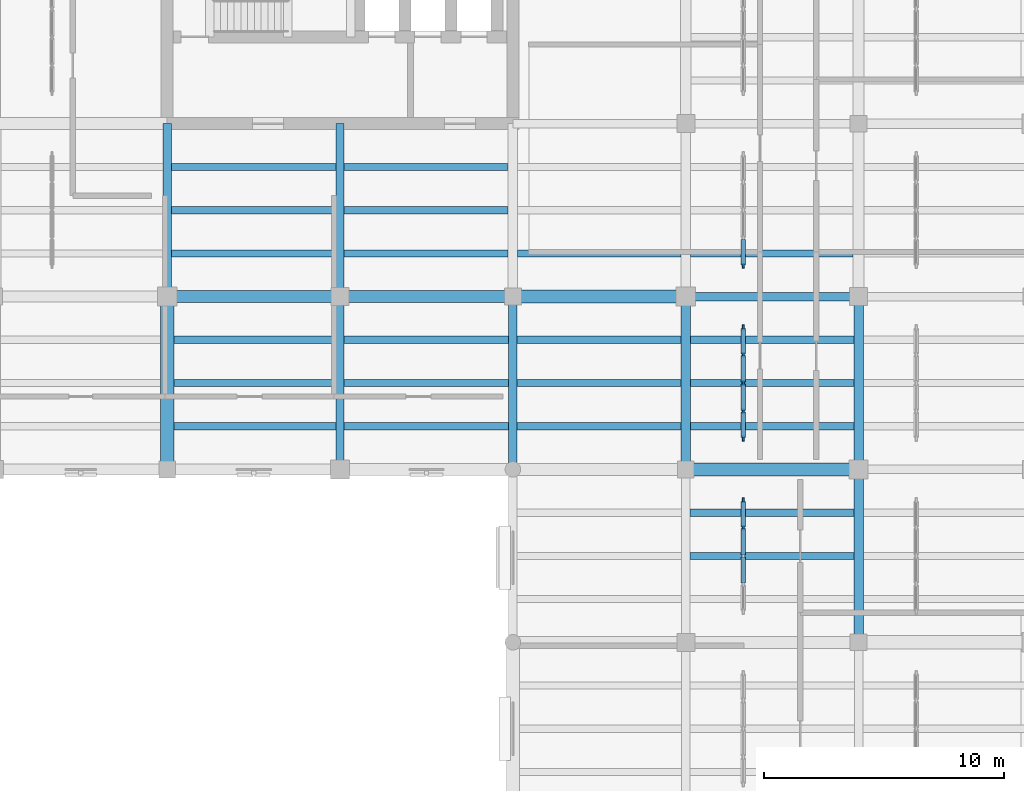
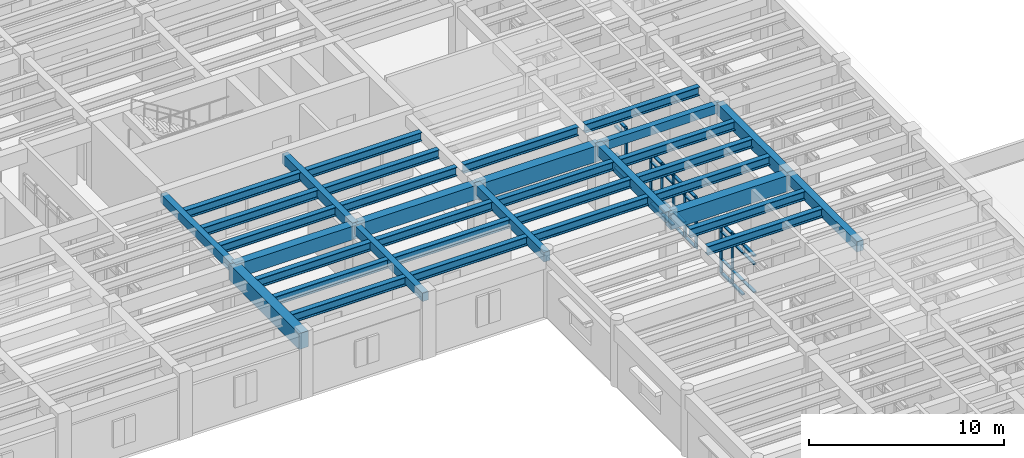
# One storey, part 29 of 76: 39 members, 35 beams, 3 elements without a shape of their own.
"""IFC4 building model written with IfcOpenShell, lengths in metres."""

from ifc_helpers import new_model, si_unit, direction, frame, origin, origin_2d, place, context, subcontext, project, spatial, rectangle, i_section, extrude, material, material_profile, profile_set, type_object, element, aggregate, save


model = new_model("IFC4")

# Units and contexts
model_context = context("Model", 3, precision=1e-05, world=origin(), true_north=direction((0.0, 1.0)))
body_context = subcontext(model_context, "Body", "Model", "MODEL_VIEW")
ifc_project = project(units=[si_unit("LENGTHUNIT", "METRE"), si_unit("AREAUNIT", "SQUARE_METRE"), si_unit("VOLUMEUNIT", "CUBIC_METRE"), si_unit("PLANEANGLEUNIT", "RADIAN"), si_unit("MASSUNIT", "GRAM", prefix="KILO")], contexts=[model_context])

# Site, building, storey
site_placement = place(None, origin())
site = spatial("IfcSite", under=ifc_project, at=site_placement, CompositionType="ELEMENT")
building_placement = place(site_placement, origin())
building = spatial("IfcBuilding", under=site, at=building_placement, Name="Mithqara Police Headquarters", CompositionType="ELEMENT")
storey_placement = place(building_placement, frame((0.0, 0.0, 5.39990234375)))
storey = spatial("IfcBuildingStorey", under=building, at=storey_placement, Name="L01", CompositionType="ELEMENT", Elevation=5.39990234375)

# Beams
ifc_material_1 = material(Name="Steel S355JR", Category="steel")
ifc_material_profile_1 = material_profile(ifc_material_1, i_section(OverallWidth=0.300048828125, OverallDepth=0.550048828125, WebThickness=0.014892578125, FlangeThickness=0.029052734375, FilletRadius=0.027099609375, at=origin_2d()), Name="HEB 550")
ifc_profile_set_1 = profile_set([ifc_material_profile_1], Name="Steel S355JR")
beam_type_1 = type_object("IfcBeamType", Name="BEAM HEB550", PredefinedType="BEAM", material=ifc_profile_set_1)
for number, where, z_axis, x_axis, name in (
    (1, (130.47509765625, 80.39990234375, 3.64501953125), (1.0, 0.0, 0.0), (0.0, 1.0, 0.0), "L01 Composite Steel Joist 19-20/M.1"),
    (2, (130.47509765625, 82.199951171875, 3.64501953125), (1.0, 0.0, 0.0), (0.0, 1.0, 0.0), "L01 Composite Steel Joist 19-20/M.2"),
    (3, (130.47509765625, 84.0, 3.64501953125), (1.0, 0.0, 0.0), (0.0, 1.0, 0.0), "L01 Composite Steel Joist 19-20/M.3"),
):
    element("IfcBeam", number, at=place(storey_placement, frame(where, z_axis=z_axis, x_axis=x_axis)), inside=storey, type_object=beam_type_1, Name=name, PredefinedType="BEAM", context=body_context, shape_type="SweptSolid", body=[
        extrude(i_section(OverallWidth=0.300048828125, OverallDepth=0.550048828125, WebThickness=0.014892578125, FlangeThickness=0.029052734375, FilletRadius=0.027099609375, at=origin_2d()), origin(), (0.0, 0.0, 1.0), 6.75),
    ])
for number, where, z_axis, x_axis, name in (
    (4, (130.375, 87.60009765625, 3.64501953125), (1.0, 0.0, 0.0), (0.0, 1.0, 0.0), "L01 Composite Steel Joist 19-20/N.1"),
    (5, (130.375, 89.39990234375, 3.64501953125), (1.0, 0.0, 0.0), (0.0, 1.0, 0.0), "L01 Composite Steel Joist 19-20/N.2"),
    (6, (130.375, 91.199951171875, 3.64501953125), (1.0, 0.0, 0.0), (0.0, 1.0, 0.0), "L01 Composite Steel Joist 19-20/N.3"),
    (7, (137.574951171875, 80.39990234375, 3.64501953125), (1.0, 0.0, 0.0), (0.0, 1.0, 0.0), "L01 Composite Steel Joist 20-21/M.1"),
    (8, (137.574951171875, 82.199951171875, 3.64501953125), (1.0, 0.0, 0.0), (0.0, 1.0, 0.0), "L01 Composite Steel Joist 20-21/M.2"),
    (9, (137.574951171875, 84.0, 3.64501953125), (1.0, 0.0, 0.0), (0.0, 1.0, 0.0), "L01 Composite Steel Joist 20-21/M.3"),
):
    element("IfcBeam", number, at=place(storey_placement, frame(where, z_axis=z_axis, x_axis=x_axis)), inside=storey, type_object=beam_type_1, Name=name, PredefinedType="BEAM", context=body_context, shape_type="SweptSolid", body=[
        extrude(i_section(OverallWidth=0.300048828125, OverallDepth=0.550048828125, WebThickness=0.014892578125, FlangeThickness=0.029052734375, FilletRadius=0.027099609375, at=origin_2d()), origin(), (0.0, 0.0, 1.0), 6.85009765625),
    ])
for number, where, z_axis, x_axis, name in (
    (10, (137.574951171875, 87.60009765625, 3.64501953125), (1.0, 0.0, 0.0), (0.0, 1.0, 0.0), "L01 Composite Steel Joist 20-21/N.1"),
    (11, (137.574951171875, 89.39990234375, 3.64501953125), (1.0, 0.0, 0.0), (0.0, 1.0, 0.0), "L01 Composite Steel Joist 20-21/N.2"),
    (12, (137.574951171875, 91.199951171875, 3.64501953125), (1.0, 0.0, 0.0), (0.0, 1.0, 0.0), "L01 Composite Steel Joist 20-21/N.3"),
):
    element("IfcBeam", number, at=place(storey_placement, frame(where, z_axis=z_axis, x_axis=x_axis)), inside=storey, type_object=beam_type_1, Name=name, PredefinedType="BEAM", context=body_context, shape_type="SweptSolid", body=[
        extrude(i_section(OverallWidth=0.300048828125, OverallDepth=0.550048828125, WebThickness=0.014892578125, FlangeThickness=0.029052734375, FilletRadius=0.027099609375, at=origin_2d()), origin(), (0.0, 0.0, 1.0), 6.824951171875),
    ])
for number, where, z_axis, x_axis, name in (
    (13, (144.77490234375, 80.39990234375, 3.64501953125), (1.0, 0.0, 0.0), (0.0, 1.0, 0.0), "L01 Composite Steel Joist 21-22/M.1"),
    (14, (144.77490234375, 82.199951171875, 3.64501953125), (1.0, 0.0, 0.0), (0.0, 1.0, 0.0), "L01 Composite Steel Joist 21-22/M.2"),
    (15, (144.77490234375, 84.0, 3.64501953125), (1.0, 0.0, 0.0), (0.0, 1.0, 0.0), "L01 Composite Steel Joist 21-22/M.3"),
):
    element("IfcBeam", number, at=place(storey_placement, frame(where, z_axis=z_axis, x_axis=x_axis)), inside=storey, type_object=beam_type_1, Name=name, PredefinedType="BEAM", context=body_context, shape_type="SweptSolid", body=[
        extrude(i_section(OverallWidth=0.300048828125, OverallDepth=0.550048828125, WebThickness=0.014892578125, FlangeThickness=0.029052734375, FilletRadius=0.027099609375, at=origin_2d()), origin(), (0.0, 0.0, 1.0), 6.8251953125),
    ])
beam_1_placement = place(storey_placement, frame((144.800048828125, 87.60009765625, 3.64501953125), z_axis=(1.0, 0.0, 0.0), x_axis=(0.0, 1.0, 0.0)))
element("IfcBeam", 16, at=beam_1_placement, inside=storey, type_object=beam_type_1, Name="L01 Composite Steel Joist 21-22/N.1", PredefinedType="BEAM", context=body_context, shape_type="SweptSolid", body=[
    extrude(i_section(OverallWidth=0.300048828125, OverallDepth=0.550048828125, WebThickness=0.014892578125, FlangeThickness=0.029052734375, FilletRadius=0.027099609375, at=origin_2d()), origin(), (0.0, 0.0, 1.0), 6.800048828125),
])
for number, where, z_axis, x_axis, name in (
    (17, (151.97509765625, 75.0, 3.64501953125), (1.0, 0.0, 0.0), (0.0, 1.0, 0.0), "L01 Composite Steel Joist 22-23/L.2"),
    (18, (151.97509765625, 76.800048828125, 3.64501953125), (1.0, 0.0, 0.0), (0.0, 1.0, 0.0), "L01 Composite Steel Joist 22-23/L.3"),
):
    element("IfcBeam", number, at=place(storey_placement, frame(where, z_axis=z_axis, x_axis=x_axis)), inside=storey, type_object=beam_type_1, Name=name, PredefinedType="BEAM", context=body_context, shape_type="SweptSolid", body=[
        extrude(i_section(OverallWidth=0.300048828125, OverallDepth=0.550048828125, WebThickness=0.014892578125, FlangeThickness=0.029052734375, FilletRadius=0.027099609375, at=origin_2d()), origin(), (0.0, 0.0, 1.0), 6.824951171875),
    ])
for number, where, z_axis, x_axis, name in (
    (19, (152.0, 80.39990234375, 3.64501953125), (1.0, 0.0, 0.0), (0.0, 1.0, 0.0), "L01 Composite Steel Joist 22-23/M.1"),
    (20, (152.0, 82.199951171875, 3.64501953125), (1.0, 0.0, 0.0), (0.0, 1.0, 0.0), "L01 Composite Steel Joist 22-23/M.2"),
    (21, (152.0, 84.0, 3.64501953125), (1.0, 0.0, 0.0), (0.0, 1.0, 0.0), "L01 Composite Steel Joist 22-23/M.3"),
):
    element("IfcBeam", number, at=place(storey_placement, frame(where, z_axis=z_axis, x_axis=x_axis)), inside=storey, type_object=beam_type_1, Name=name, PredefinedType="BEAM", context=body_context, shape_type="SweptSolid", body=[
        extrude(i_section(OverallWidth=0.300048828125, OverallDepth=0.550048828125, WebThickness=0.014892578125, FlangeThickness=0.029052734375, FilletRadius=0.027099609375, at=origin_2d()), origin(), (0.0, 0.0, 1.0), 6.800048828125),
    ])
beam_2_placement = place(storey_placement, frame((152.0, 87.60009765625, 3.64501953125), z_axis=(1.0, 0.0, 0.0), x_axis=(0.0, 1.0, 0.0)))
element("IfcBeam", 22, at=beam_2_placement, inside=storey, type_object=beam_type_1, Name="L01 Composite Steel Joist 22-23/N.1", PredefinedType="BEAM", context=body_context, shape_type="SweptSolid", body=[
    extrude(i_section(OverallWidth=0.300048828125, OverallDepth=0.550048828125, WebThickness=0.014892578125, FlangeThickness=0.029052734375, FilletRadius=0.027099609375, at=origin_2d()), origin(), (0.0, 0.0, 1.0), 6.77490234375),
])
ifc_material_2 = material(Name="Concrete C40/50", Category="concrete")
ifc_material_profile_2 = material_profile(ifc_material_2, rectangle(XDim=0.35009765625, YDim=0.550048828125, at=origin_2d()), Name="RC 350x550")
ifc_profile_set_2 = profile_set([ifc_material_profile_2], Name="Concrete C40/50")
beam_type_2 = type_object("IfcBeamType", Name="BEAM RC350X550", PredefinedType="BEAM", material=ifc_profile_set_2)
for number, where, z_axis, x_axis, name in (
    (23, (130.199951171875, 85.800048828125, 3.64501953125), (0.0, 1.0, 0.0), (-1.0, 0.0, 0.0), "L01 Girder 19/N-P"),
    (24, (137.39990234375, 78.60009765625, 3.64501953125), (0.0, 1.0, 0.0), (-1.0, 0.0, 0.0), "L01 Girder 20/M-N"),
    (25, (151.800048828125, 85.800048828125, 3.64501953125), (1.0, 0.0, 0.0), (0.0, 1.0, 0.0), "L01 Girder 22-23/N"),
):
    element("IfcBeam", number, at=place(storey_placement, frame(where, z_axis=z_axis, x_axis=x_axis)), inside=storey, type_object=beam_type_2, Name=name, PredefinedType="BEAM", context=body_context, shape_type="SweptSolid", body=[
        extrude(rectangle(XDim=0.35009765625, YDim=0.550048828125, at=origin_2d()), origin(), (0.0, 0.0, 1.0), 7.199951171875),
    ])
ifc_material_profile_3 = material_profile(ifc_material_2, rectangle(XDim=0.35009765625, YDim=0.60009765625, at=origin_2d()), Name="RC 350x600")
ifc_profile_set_3 = profile_set([ifc_material_profile_3], Name="Concrete C40/50")
beam_type_3 = type_object("IfcBeamType", Name="BEAM RC350X600", PredefinedType="BEAM", material=ifc_profile_set_3)
for number, where, z_axis, x_axis, name in (
    (26, (137.39990234375, 85.800048828125, 3.6201171875), (0.0, 1.0, 0.0), (-1.0, 0.0, 0.0), "L01 Girder 20/N-P"),
    (27, (144.60009765625, 78.60009765625, 3.6201171875), (0.0, 1.0, 0.0), (-1.0, 0.0, 0.0), "L01 Girder 21/M-N"),
):
    element("IfcBeam", number, at=place(storey_placement, frame(where, z_axis=z_axis, x_axis=x_axis)), inside=storey, type_object=beam_type_3, Name=name, PredefinedType="BEAM", context=body_context, shape_type="SweptSolid", body=[
        extrude(rectangle(XDim=0.35009765625, YDim=0.60009765625, at=origin_2d()), origin(), (0.0, 0.0, 1.0), 7.199951171875),
    ])
ifc_material_profile_4 = material_profile(ifc_material_2, rectangle(XDim=0.39990234375, YDim=0.64990234375, at=origin_2d()), Name="RC 400x650")
ifc_profile_set_4 = profile_set([ifc_material_profile_4], Name="Concrete C40/50")
beam_type_4 = type_object("IfcBeamType", Name="BEAM RC400X650", PredefinedType="BEAM", material=ifc_profile_set_4)
beam_3_placement = place(storey_placement, frame((151.800048828125, 78.60009765625, 3.59521484375), z_axis=(0.0, 1.0, 0.0), x_axis=(-1.0, 0.0, 0.0)))
element("IfcBeam", 28, at=beam_3_placement, inside=storey, type_object=beam_type_4, Name="L01 Girder 22/M-N", PredefinedType="BEAM", context=body_context, shape_type="SweptSolid", body=[
    extrude(rectangle(XDim=0.39990234375, YDim=0.64990234375, at=origin_2d()), origin(), (0.0, 0.0, 1.0), 7.199951171875),
])
beam_4_placement = place(storey_placement, frame((159.0, 71.39990234375, 3.59521484375), z_axis=(0.0, 1.0, 0.0), x_axis=(-1.0, 0.0, 0.0)))
element("IfcBeam", 29, at=beam_4_placement, inside=storey, type_object=beam_type_4, Name="L01 Girder 23/L-M", PredefinedType="BEAM", context=body_context, shape_type="SweptSolid", body=[
    extrude(rectangle(XDim=0.39990234375, YDim=0.64990234375, at=origin_2d()), origin(), (0.0, 0.0, 1.0), 7.2001953125),
])
ifc_material_profile_5 = material_profile(ifc_material_2, rectangle(XDim=0.39990234375, YDim=0.75, at=origin_2d()), Name="RC 400x750")
ifc_profile_set_5 = profile_set([ifc_material_profile_5], Name="Concrete C40/50")
beam_type_5 = type_object("IfcBeamType", Name="BEAM RC400X750", PredefinedType="BEAM", material=ifc_profile_set_5)
beam_5_placement = place(storey_placement, frame((159.0, 78.60009765625, 3.545166015625), z_axis=(0.0, 1.0, 0.0), x_axis=(-1.0, 0.0, 0.0)))
element("IfcBeam", 30, at=beam_5_placement, inside=storey, type_object=beam_type_5, Name="L01 Girder 23/M-N", PredefinedType="BEAM", context=body_context, shape_type="SweptSolid", body=[
    extrude(rectangle(XDim=0.39990234375, YDim=0.75, at=origin_2d()), origin(), (0.0, 0.0, 1.0), 7.199951171875),
])
ifc_material_profile_6 = material_profile(ifc_material_2, rectangle(XDim=0.5, YDim=0.85009765625, at=origin_2d()), Name="RC 500x850")
ifc_profile_set_6 = profile_set([ifc_material_profile_6], Name="Concrete C40/50")
beam_type_6 = type_object("IfcBeamType", Name="BEAM RC500X850", PredefinedType="BEAM", material=ifc_profile_set_6)
beam_6_placement = place(storey_placement, frame((130.199951171875, 85.800048828125, 3.4951171875), z_axis=(1.0, 0.0, 0.0), x_axis=(0.0, 1.0, 0.0)))
element("IfcBeam", 31, at=beam_6_placement, inside=storey, type_object=beam_type_6, Name="L01 Girder 19-20/N", PredefinedType="BEAM", context=body_context, shape_type="SweptSolid", body=[
    extrude(rectangle(XDim=0.5, YDim=0.85009765625, at=origin_2d()), origin(), (0.0, 0.0, 1.0), 7.199951171875),
])
ifc_material_3 = material(Name="Concrete C50/60", Category="concrete")
ifc_material_profile_7 = material_profile(ifc_material_3, rectangle(XDim=0.5, YDim=0.89990234375, at=origin_2d()), Name="RC 500x900")
ifc_profile_set_7 = profile_set([ifc_material_profile_7], Name="Concrete C50/60")
beam_type_7 = type_object("IfcBeamType", Name="BEAM RC500X900", PredefinedType="BEAM", material=ifc_profile_set_7)
beam_7_placement = place(storey_placement, frame((137.39990234375, 85.800048828125, 3.47021484375), z_axis=(1.0, 0.0, 0.0), x_axis=(0.0, 1.0, 0.0)))
element("IfcBeam", 32, at=beam_7_placement, inside=storey, type_object=beam_type_7, Name="L01 Girder 20-21/N", PredefinedType="BEAM", context=body_context, shape_type="SweptSolid", body=[
    extrude(rectangle(XDim=0.5, YDim=0.89990234375, at=origin_2d()), origin(), (0.0, 0.0, 1.0), 7.2001953125),
])
ifc_material_profile_8 = material_profile(ifc_material_3, rectangle(XDim=0.550048828125, YDim=1.0, at=origin_2d()), Name="RC 550x1000")
ifc_profile_set_8 = profile_set([ifc_material_profile_8], Name="Concrete C50/60")
beam_type_8 = type_object("IfcBeamType", Name="BEAM RC550X1000", PredefinedType="BEAM", material=ifc_profile_set_8)
for number, where, z_axis, x_axis, name in (
    (33, (130.199951171875, 78.60009765625, 3.420166015625), (0.0, 1.0, 0.0), (-1.0, 0.0, 0.0), "L01 Girder 19/M-N"),
    (34, (144.60009765625, 85.800048828125, 3.420166015625), (1.0, 0.0, 0.0), (0.0, 1.0, 0.0), "L01 Girder 21-22/N"),
    (35, (151.800048828125, 78.60009765625, 3.420166015625), (1.0, 0.0, 0.0), (0.0, 1.0, 0.0), "L01 Girder 22-23/M"),
):
    element("IfcBeam", number, at=place(storey_placement, frame(where, z_axis=z_axis, x_axis=x_axis)), inside=storey, type_object=beam_type_8, Name=name, PredefinedType="BEAM", context=body_context, shape_type="SweptSolid", body=[
        extrude(rectangle(XDim=0.550048828125, YDim=1.0, at=origin_2d()), origin(), (0.0, 0.0, 1.0), 7.199951171875),
    ])

# Curtain wall, members
ifc_material_4 = material(Name="Bronze anodised aluminium 6063-T6", Category="aluminium")
curtain_wall_type = type_object("IfcCurtainWallType", Name="CURTAIN WALL 4700X3200", PredefinedType="USERDEFINED", material=ifc_material_4)
curtain_wall_1_placement = place(storey_placement, origin())
curtain_wall_1 = element("IfcCurtainWall", 36, at=curtain_wall_1_placement, inside=storey, type_object=curtain_wall_type, Name="L01 Unitised Glazing CW-15 (CW-INT-L01-X21-Y10-0)", ObjectType="UNITISED GLAZING", PredefinedType="USERDEFINED")
ifc_material_profile_9 = material_profile(ifc_material_4, rectangle(XDim=0.074951171875, YDim=0.219970703125, at=origin_2d()), Name="CWM 75x220")
ifc_profile_set_9 = profile_set([ifc_material_profile_9], Name="Bronze anodised aluminium 6063-T6")
member_type_1 = type_object("IfcMemberType", Name="CWMULLION 75X220", PredefinedType="MULLION", material=ifc_profile_set_9)
member_1_placement = place(storey_placement, frame((154.199951171875, 76.175048828125, 0.0), z_axis=(0.0, 0.0, 1.0), x_axis=(-1.0, 0.0, 0.0)))
member_1 = element("IfcMember", 37, at=member_1_placement, type_object=member_type_1, Name="CW-15 mullion 4", PredefinedType="MULLION", context=body_context, shape_type="SweptSolid", body=[
    extrude(rectangle(XDim=0.074951171875, YDim=0.219970703125, at=origin_2d()), origin(), (0.0, 0.0, 1.0), 3.2001953125),
])
member_2_placement = place(storey_placement, frame((154.199951171875, 77.3125, 0.0), z_axis=(0.0, 0.0, 1.0), x_axis=(-1.0, 0.0, 0.0)))
member_2 = element("IfcMember", 38, at=member_2_placement, type_object=member_type_1, Name="CW-15 mullion 5", PredefinedType="MULLION", context=body_context, shape_type="SweptSolid", body=[
    extrude(rectangle(XDim=0.074951171875, YDim=0.219970703125, at=origin_2d()), origin(), (0.0, 0.0, 1.0), 3.2001953125),
])

curtain_wall_2_placement = place(storey_placement, origin())
curtain_wall_2 = element("IfcCurtainWall", 39, at=curtain_wall_2_placement, inside=storey, type_object=curtain_wall_type, Name="L01 Unitised Glazing CW-15 (CW-INT-L01-X21-Y11-0)", ObjectType="UNITISED GLAZING", PredefinedType="USERDEFINED")
member_3_placement = place(storey_placement, frame((154.199951171875, 79.887451171875, 0.0), z_axis=(0.0, 0.0, 1.0), x_axis=(-1.0, 0.0, 0.0)))
member_3 = element("IfcMember", 40, at=member_3_placement, type_object=member_type_1, Name="CW-15 mullion 1", PredefinedType="MULLION", context=body_context, shape_type="SweptSolid", body=[
    extrude(rectangle(XDim=0.074951171875, YDim=0.219970703125, at=origin_2d()), origin(), (0.0, 0.0, 1.0), 3.2001953125),
])
member_4_placement = place(storey_placement, frame((154.199951171875, 81.02490234375, 0.0), z_axis=(0.0, 0.0, 1.0), x_axis=(-1.0, 0.0, 0.0)))
member_4 = element("IfcMember", 41, at=member_4_placement, type_object=member_type_1, Name="CW-15 mullion 2", PredefinedType="MULLION", context=body_context, shape_type="SweptSolid", body=[
    extrude(rectangle(XDim=0.074951171875, YDim=0.219970703125, at=origin_2d()), origin(), (0.0, 0.0, 1.0), 3.2001953125),
])
member_5_placement = place(storey_placement, frame((154.199951171875, 82.199951171875, 0.0), z_axis=(0.0, 0.0, 1.0), x_axis=(-1.0, 0.0, 0.0)))
member_5 = element("IfcMember", 42, at=member_5_placement, type_object=member_type_1, Name="CW-15 mullion 3", PredefinedType="MULLION", context=body_context, shape_type="SweptSolid", body=[
    extrude(rectangle(XDim=0.074951171875, YDim=0.219970703125, at=origin_2d()), origin(), (0.0, 0.0, 1.0), 3.2001953125),
])
member_6_placement = place(storey_placement, frame((154.199951171875, 83.375, 0.0), z_axis=(0.0, 0.0, 1.0), x_axis=(-1.0, 0.0, 0.0)))
member_6 = element("IfcMember", 43, at=member_6_placement, type_object=member_type_1, Name="CW-15 mullion 4", PredefinedType="MULLION", context=body_context, shape_type="SweptSolid", body=[
    extrude(rectangle(XDim=0.074951171875, YDim=0.219970703125, at=origin_2d()), origin(), (0.0, 0.0, 1.0), 3.2001953125),
])
member_7_placement = place(storey_placement, frame((154.199951171875, 84.512451171875, 0.0), z_axis=(0.0, 0.0, 1.0), x_axis=(-1.0, 0.0, 0.0)))
member_7 = element("IfcMember", 44, at=member_7_placement, type_object=member_type_1, Name="CW-15 mullion 5", PredefinedType="MULLION", context=body_context, shape_type="SweptSolid", body=[
    extrude(rectangle(XDim=0.074951171875, YDim=0.219970703125, at=origin_2d()), origin(), (0.0, 0.0, 1.0), 3.2001953125),
])

# Curtain wall, member
curtain_wall_3_placement = place(storey_placement, origin())
curtain_wall_3 = element("IfcCurtainWall", 45, at=curtain_wall_3_placement, inside=storey, type_object=curtain_wall_type, Name="L01 Unitised Glazing CW-15 (CW-INT-L01-X21-Y12-0)", ObjectType="UNITISED GLAZING", PredefinedType="USERDEFINED")
member_8_placement = place(storey_placement, frame((154.199951171875, 87.08740234375, 0.0), z_axis=(0.0, 0.0, 1.0), x_axis=(-1.0, 0.0, 0.0)))
member_8 = element("IfcMember", 46, at=member_8_placement, type_object=member_type_1, Name="CW-15 mullion 1", PredefinedType="MULLION", context=body_context, shape_type="SweptSolid", body=[
    extrude(rectangle(XDim=0.074951171875, YDim=0.219970703125, at=origin_2d()), origin(), (0.0, 0.0, 1.0), 3.2001953125),
])

# Member
ifc_material_profile_10 = material_profile(ifc_material_4, rectangle(XDim=0.179931640625, YDim=0.074951171875, at=origin_2d()), Name="CWT 180x75")
ifc_profile_set_10 = profile_set([ifc_material_profile_10], Name="Bronze anodised aluminium 6063-T6")
member_type_2 = type_object("IfcMemberType", Name="CWTRANSOM 180X75", PredefinedType="USERDEFINED", material=ifc_profile_set_10)
member_9_placement = place(storey_placement, frame((154.199951171875, 73.862548828125, 0.900146484375), z_axis=(0.0, 1.0, 0.0), x_axis=(-1.0, 0.0, 0.0)))
member_9 = element("IfcMember", 47, at=member_9_placement, type_object=member_type_2, Name="CW-15 transom 2.2", ObjectType="TRANSOM", PredefinedType="USERDEFINED", context=body_context, shape_type="SweptSolid", body=[
    extrude(rectangle(XDim=0.179931640625, YDim=0.074951171875, at=origin_2d()), origin(), (0.0, 0.0, 1.0), 1.099853515625),
])

member_10_placement = place(storey_placement, frame((154.199951171875, 73.862548828125, 2.650146484375), z_axis=(0.0, 1.0, 0.0), x_axis=(-1.0, 0.0, 0.0)))
member_10 = element("IfcMember", 48, at=member_10_placement, type_object=member_type_2, Name="CW-15 transom 2.3", ObjectType="TRANSOM", PredefinedType="USERDEFINED", context=body_context, shape_type="SweptSolid", body=[
    extrude(rectangle(XDim=0.179931640625, YDim=0.074951171875, at=origin_2d()), origin(), (0.0, 0.0, 1.0), 1.099853515625),
])

member_11_placement = place(storey_placement, frame((154.199951171875, 73.862548828125, 3.16259765625), z_axis=(0.0, 1.0, 0.0), x_axis=(-1.0, 0.0, 0.0)))
member_11 = element("IfcMember", 49, at=member_11_placement, type_object=member_type_2, Name="CW-15 transom 2.4", ObjectType="TRANSOM", PredefinedType="USERDEFINED", context=body_context, shape_type="SweptSolid", body=[
    extrude(rectangle(XDim=0.179931640625, YDim=0.074951171875, at=origin_2d()), origin(), (0.0, 0.0, 1.0), 1.099853515625),
])

member_12_placement = place(storey_placement, frame((154.199951171875, 75.03759765625, 0.03759765625), z_axis=(0.0, 1.0, 0.0), x_axis=(-1.0, 0.0, 0.0)))
member_12 = element("IfcMember", 50, at=member_12_placement, type_object=member_type_2, Name="CW-15 transom 3.1", ObjectType="TRANSOM", PredefinedType="USERDEFINED", context=body_context, shape_type="SweptSolid", body=[
    extrude(rectangle(XDim=0.179931640625, YDim=0.074951171875, at=origin_2d()), origin(), (0.0, 0.0, 1.0), 1.099853515625),
])

member_13_placement = place(storey_placement, frame((154.199951171875, 75.03759765625, 0.900146484375), z_axis=(0.0, 1.0, 0.0), x_axis=(-1.0, 0.0, 0.0)))
member_13 = element("IfcMember", 51, at=member_13_placement, type_object=member_type_2, Name="CW-15 transom 3.2", ObjectType="TRANSOM", PredefinedType="USERDEFINED", context=body_context, shape_type="SweptSolid", body=[
    extrude(rectangle(XDim=0.179931640625, YDim=0.074951171875, at=origin_2d()), origin(), (0.0, 0.0, 1.0), 1.099853515625),
])

member_14_placement = place(storey_placement, frame((154.199951171875, 75.03759765625, 2.650146484375), z_axis=(0.0, 1.0, 0.0), x_axis=(-1.0, 0.0, 0.0)))
member_14 = element("IfcMember", 52, at=member_14_placement, type_object=member_type_2, Name="CW-15 transom 3.3", ObjectType="TRANSOM", PredefinedType="USERDEFINED", context=body_context, shape_type="SweptSolid", body=[
    extrude(rectangle(XDim=0.179931640625, YDim=0.074951171875, at=origin_2d()), origin(), (0.0, 0.0, 1.0), 1.099853515625),
])

member_15_placement = place(storey_placement, frame((154.199951171875, 75.03759765625, 3.16259765625), z_axis=(0.0, 1.0, 0.0), x_axis=(-1.0, 0.0, 0.0)))
member_15 = element("IfcMember", 53, at=member_15_placement, type_object=member_type_2, Name="CW-15 transom 3.4", ObjectType="TRANSOM", PredefinedType="USERDEFINED", context=body_context, shape_type="SweptSolid", body=[
    extrude(rectangle(XDim=0.179931640625, YDim=0.074951171875, at=origin_2d()), origin(), (0.0, 0.0, 1.0), 1.099853515625),
])

member_16_placement = place(storey_placement, frame((154.199951171875, 76.21240234375, 0.03759765625), z_axis=(0.0, 1.0, 0.0), x_axis=(-1.0, 0.0, 0.0)))
member_16 = element("IfcMember", 54, at=member_16_placement, type_object=member_type_2, Name="CW-15 transom 4.1", ObjectType="TRANSOM", PredefinedType="USERDEFINED", context=body_context, shape_type="SweptSolid", body=[
    extrude(rectangle(XDim=0.179931640625, YDim=0.074951171875, at=origin_2d()), origin(), (0.0, 0.0, 1.0), 1.0625),
])

member_17_placement = place(storey_placement, frame((154.199951171875, 76.21240234375, 0.900146484375), z_axis=(0.0, 1.0, 0.0), x_axis=(-1.0, 0.0, 0.0)))
member_17 = element("IfcMember", 55, at=member_17_placement, type_object=member_type_2, Name="CW-15 transom 4.2", ObjectType="TRANSOM", PredefinedType="USERDEFINED", context=body_context, shape_type="SweptSolid", body=[
    extrude(rectangle(XDim=0.179931640625, YDim=0.074951171875, at=origin_2d()), origin(), (0.0, 0.0, 1.0), 1.0625),
])

member_18_placement = place(storey_placement, frame((154.199951171875, 76.21240234375, 2.650146484375), z_axis=(0.0, 1.0, 0.0), x_axis=(-1.0, 0.0, 0.0)))
member_18 = element("IfcMember", 56, at=member_18_placement, type_object=member_type_2, Name="CW-15 transom 4.3", ObjectType="TRANSOM", PredefinedType="USERDEFINED", context=body_context, shape_type="SweptSolid", body=[
    extrude(rectangle(XDim=0.179931640625, YDim=0.074951171875, at=origin_2d()), origin(), (0.0, 0.0, 1.0), 1.0625),
])

member_19_placement = place(storey_placement, frame((154.199951171875, 76.21240234375, 3.16259765625), z_axis=(0.0, 1.0, 0.0), x_axis=(-1.0, 0.0, 0.0)))
member_19 = element("IfcMember", 57, at=member_19_placement, type_object=member_type_2, Name="CW-15 transom 4.4", ObjectType="TRANSOM", PredefinedType="USERDEFINED", context=body_context, shape_type="SweptSolid", body=[
    extrude(rectangle(XDim=0.179931640625, YDim=0.074951171875, at=origin_2d()), origin(), (0.0, 0.0, 1.0), 1.0625),
])

aggregate(curtain_wall_1, [member_1, member_2, member_9, member_10, member_11, member_12, member_13, member_14, member_15, member_16, member_17, member_18, member_19])

member_20_placement = place(storey_placement, frame((154.199951171875, 79.925048828125, 0.03759765625), z_axis=(0.0, 1.0, 0.0), x_axis=(-1.0, 0.0, 0.0)))
member_20 = element("IfcMember", 58, at=member_20_placement, type_object=member_type_2, Name="CW-15 transom 1.1", ObjectType="TRANSOM", PredefinedType="USERDEFINED", context=body_context, shape_type="SweptSolid", body=[
    extrude(rectangle(XDim=0.179931640625, YDim=0.074951171875, at=origin_2d()), origin(), (0.0, 0.0, 1.0), 1.0625),
])

member_21_placement = place(storey_placement, frame((154.199951171875, 79.925048828125, 0.900146484375), z_axis=(0.0, 1.0, 0.0), x_axis=(-1.0, 0.0, 0.0)))
member_21 = element("IfcMember", 59, at=member_21_placement, type_object=member_type_2, Name="CW-15 transom 1.2", ObjectType="TRANSOM", PredefinedType="USERDEFINED", context=body_context, shape_type="SweptSolid", body=[
    extrude(rectangle(XDim=0.179931640625, YDim=0.074951171875, at=origin_2d()), origin(), (0.0, 0.0, 1.0), 1.0625),
])

member_22_placement = place(storey_placement, frame((154.199951171875, 79.925048828125, 2.650146484375), z_axis=(0.0, 1.0, 0.0), x_axis=(-1.0, 0.0, 0.0)))
member_22 = element("IfcMember", 60, at=member_22_placement, type_object=member_type_2, Name="CW-15 transom 1.3", ObjectType="TRANSOM", PredefinedType="USERDEFINED", context=body_context, shape_type="SweptSolid", body=[
    extrude(rectangle(XDim=0.179931640625, YDim=0.074951171875, at=origin_2d()), origin(), (0.0, 0.0, 1.0), 1.0625),
])

member_23_placement = place(storey_placement, frame((154.199951171875, 79.925048828125, 3.16259765625), z_axis=(0.0, 1.0, 0.0), x_axis=(-1.0, 0.0, 0.0)))
member_23 = element("IfcMember", 61, at=member_23_placement, type_object=member_type_2, Name="CW-15 transom 1.4", ObjectType="TRANSOM", PredefinedType="USERDEFINED", context=body_context, shape_type="SweptSolid", body=[
    extrude(rectangle(XDim=0.179931640625, YDim=0.074951171875, at=origin_2d()), origin(), (0.0, 0.0, 1.0), 1.0625),
])

member_24_placement = place(storey_placement, frame((154.199951171875, 81.0625, 0.03759765625), z_axis=(0.0, 1.0, 0.0), x_axis=(-1.0, 0.0, 0.0)))
member_24 = element("IfcMember", 62, at=member_24_placement, type_object=member_type_2, Name="CW-15 transom 2.1", ObjectType="TRANSOM", PredefinedType="USERDEFINED", context=body_context, shape_type="SweptSolid", body=[
    extrude(rectangle(XDim=0.179931640625, YDim=0.074951171875, at=origin_2d()), origin(), (0.0, 0.0, 1.0), 1.10009765625),
])

member_25_placement = place(storey_placement, frame((154.199951171875, 81.0625, 0.900146484375), z_axis=(0.0, 1.0, 0.0), x_axis=(-1.0, 0.0, 0.0)))
member_25 = element("IfcMember", 63, at=member_25_placement, type_object=member_type_2, Name="CW-15 transom 2.2", ObjectType="TRANSOM", PredefinedType="USERDEFINED", context=body_context, shape_type="SweptSolid", body=[
    extrude(rectangle(XDim=0.179931640625, YDim=0.074951171875, at=origin_2d()), origin(), (0.0, 0.0, 1.0), 1.10009765625),
])

member_26_placement = place(storey_placement, frame((154.199951171875, 81.0625, 2.650146484375), z_axis=(0.0, 1.0, 0.0), x_axis=(-1.0, 0.0, 0.0)))
member_26 = element("IfcMember", 64, at=member_26_placement, type_object=member_type_2, Name="CW-15 transom 2.3", ObjectType="TRANSOM", PredefinedType="USERDEFINED", context=body_context, shape_type="SweptSolid", body=[
    extrude(rectangle(XDim=0.179931640625, YDim=0.074951171875, at=origin_2d()), origin(), (0.0, 0.0, 1.0), 1.10009765625),
])

member_27_placement = place(storey_placement, frame((154.199951171875, 81.0625, 3.16259765625), z_axis=(0.0, 1.0, 0.0), x_axis=(-1.0, 0.0, 0.0)))
member_27 = element("IfcMember", 65, at=member_27_placement, type_object=member_type_2, Name="CW-15 transom 2.4", ObjectType="TRANSOM", PredefinedType="USERDEFINED", context=body_context, shape_type="SweptSolid", body=[
    extrude(rectangle(XDim=0.179931640625, YDim=0.074951171875, at=origin_2d()), origin(), (0.0, 0.0, 1.0), 1.10009765625),
])

member_28_placement = place(storey_placement, frame((154.199951171875, 82.237548828125, 0.03759765625), z_axis=(0.0, 1.0, 0.0), x_axis=(-1.0, 0.0, 0.0)))
member_28 = element("IfcMember", 66, at=member_28_placement, type_object=member_type_2, Name="CW-15 transom 3.1", ObjectType="TRANSOM", PredefinedType="USERDEFINED", context=body_context, shape_type="SweptSolid", body=[
    extrude(rectangle(XDim=0.179931640625, YDim=0.074951171875, at=origin_2d()), origin(), (0.0, 0.0, 1.0), 1.099853515625),
])

member_29_placement = place(storey_placement, frame((154.199951171875, 82.237548828125, 0.900146484375), z_axis=(0.0, 1.0, 0.0), x_axis=(-1.0, 0.0, 0.0)))
member_29 = element("IfcMember", 67, at=member_29_placement, type_object=member_type_2, Name="CW-15 transom 3.2", ObjectType="TRANSOM", PredefinedType="USERDEFINED", context=body_context, shape_type="SweptSolid", body=[
    extrude(rectangle(XDim=0.179931640625, YDim=0.074951171875, at=origin_2d()), origin(), (0.0, 0.0, 1.0), 1.099853515625),
])

member_30_placement = place(storey_placement, frame((154.199951171875, 82.237548828125, 2.650146484375), z_axis=(0.0, 1.0, 0.0), x_axis=(-1.0, 0.0, 0.0)))
member_30 = element("IfcMember", 68, at=member_30_placement, type_object=member_type_2, Name="CW-15 transom 3.3", ObjectType="TRANSOM", PredefinedType="USERDEFINED", context=body_context, shape_type="SweptSolid", body=[
    extrude(rectangle(XDim=0.179931640625, YDim=0.074951171875, at=origin_2d()), origin(), (0.0, 0.0, 1.0), 1.099853515625),
])

member_31_placement = place(storey_placement, frame((154.199951171875, 82.237548828125, 3.16259765625), z_axis=(0.0, 1.0, 0.0), x_axis=(-1.0, 0.0, 0.0)))
member_31 = element("IfcMember", 69, at=member_31_placement, type_object=member_type_2, Name="CW-15 transom 3.4", ObjectType="TRANSOM", PredefinedType="USERDEFINED", context=body_context, shape_type="SweptSolid", body=[
    extrude(rectangle(XDim=0.179931640625, YDim=0.074951171875, at=origin_2d()), origin(), (0.0, 0.0, 1.0), 1.099853515625),
])

member_32_placement = place(storey_placement, frame((154.199951171875, 83.41259765625, 0.03759765625), z_axis=(0.0, 1.0, 0.0), x_axis=(-1.0, 0.0, 0.0)))
member_32 = element("IfcMember", 70, at=member_32_placement, type_object=member_type_2, Name="CW-15 transom 4.1", ObjectType="TRANSOM", PredefinedType="USERDEFINED", context=body_context, shape_type="SweptSolid", body=[
    extrude(rectangle(XDim=0.179931640625, YDim=0.074951171875, at=origin_2d()), origin(), (0.0, 0.0, 1.0), 1.0625),
])

member_33_placement = place(storey_placement, frame((154.199951171875, 83.41259765625, 0.900146484375), z_axis=(0.0, 1.0, 0.0), x_axis=(-1.0, 0.0, 0.0)))
member_33 = element("IfcMember", 71, at=member_33_placement, type_object=member_type_2, Name="CW-15 transom 4.2", ObjectType="TRANSOM", PredefinedType="USERDEFINED", context=body_context, shape_type="SweptSolid", body=[
    extrude(rectangle(XDim=0.179931640625, YDim=0.074951171875, at=origin_2d()), origin(), (0.0, 0.0, 1.0), 1.0625),
])

member_34_placement = place(storey_placement, frame((154.199951171875, 83.41259765625, 2.650146484375), z_axis=(0.0, 1.0, 0.0), x_axis=(-1.0, 0.0, 0.0)))
member_34 = element("IfcMember", 72, at=member_34_placement, type_object=member_type_2, Name="CW-15 transom 4.3", ObjectType="TRANSOM", PredefinedType="USERDEFINED", context=body_context, shape_type="SweptSolid", body=[
    extrude(rectangle(XDim=0.179931640625, YDim=0.074951171875, at=origin_2d()), origin(), (0.0, 0.0, 1.0), 1.0625),
])

member_35_placement = place(storey_placement, frame((154.199951171875, 83.41259765625, 3.16259765625), z_axis=(0.0, 1.0, 0.0), x_axis=(-1.0, 0.0, 0.0)))
member_35 = element("IfcMember", 73, at=member_35_placement, type_object=member_type_2, Name="CW-15 transom 4.4", ObjectType="TRANSOM", PredefinedType="USERDEFINED", context=body_context, shape_type="SweptSolid", body=[
    extrude(rectangle(XDim=0.179931640625, YDim=0.074951171875, at=origin_2d()), origin(), (0.0, 0.0, 1.0), 1.0625),
])

aggregate(curtain_wall_2, [member_3, member_4, member_5, member_6, member_7, member_20, member_21, member_22, member_23, member_24, member_25, member_26, member_27, member_28, member_29, member_30, member_31, member_32, member_33, member_34, member_35])

member_36_placement = place(storey_placement, frame((154.199951171875, 87.125, 0.03759765625), z_axis=(0.0, 1.0, 0.0), x_axis=(-1.0, 0.0, 0.0)))
member_36 = element("IfcMember", 74, at=member_36_placement, type_object=member_type_2, Name="CW-15 transom 1.1", ObjectType="TRANSOM", PredefinedType="USERDEFINED", context=body_context, shape_type="SweptSolid", body=[
    extrude(rectangle(XDim=0.179931640625, YDim=0.074951171875, at=origin_2d()), origin(), (0.0, 0.0, 1.0), 1.0625),
])

member_37_placement = place(storey_placement, frame((154.199951171875, 87.125, 0.900146484375), z_axis=(0.0, 1.0, 0.0), x_axis=(-1.0, 0.0, 0.0)))
member_37 = element("IfcMember", 75, at=member_37_placement, type_object=member_type_2, Name="CW-15 transom 1.2", ObjectType="TRANSOM", PredefinedType="USERDEFINED", context=body_context, shape_type="SweptSolid", body=[
    extrude(rectangle(XDim=0.179931640625, YDim=0.074951171875, at=origin_2d()), origin(), (0.0, 0.0, 1.0), 1.0625),
])

member_38_placement = place(storey_placement, frame((154.199951171875, 87.125, 2.650146484375), z_axis=(0.0, 1.0, 0.0), x_axis=(-1.0, 0.0, 0.0)))
member_38 = element("IfcMember", 76, at=member_38_placement, type_object=member_type_2, Name="CW-15 transom 1.3", ObjectType="TRANSOM", PredefinedType="USERDEFINED", context=body_context, shape_type="SweptSolid", body=[
    extrude(rectangle(XDim=0.179931640625, YDim=0.074951171875, at=origin_2d()), origin(), (0.0, 0.0, 1.0), 1.0625),
])

member_39_placement = place(storey_placement, frame((154.199951171875, 87.125, 3.16259765625), z_axis=(0.0, 1.0, 0.0), x_axis=(-1.0, 0.0, 0.0)))
member_39 = element("IfcMember", 77, at=member_39_placement, type_object=member_type_2, Name="CW-15 transom 1.4", ObjectType="TRANSOM", PredefinedType="USERDEFINED", context=body_context, shape_type="SweptSolid", body=[
    extrude(rectangle(XDim=0.179931640625, YDim=0.074951171875, at=origin_2d()), origin(), (0.0, 0.0, 1.0), 1.0625),
])

aggregate(curtain_wall_3, [member_8, member_36, member_37, member_38, member_39])

save(model, "model.ifc")
